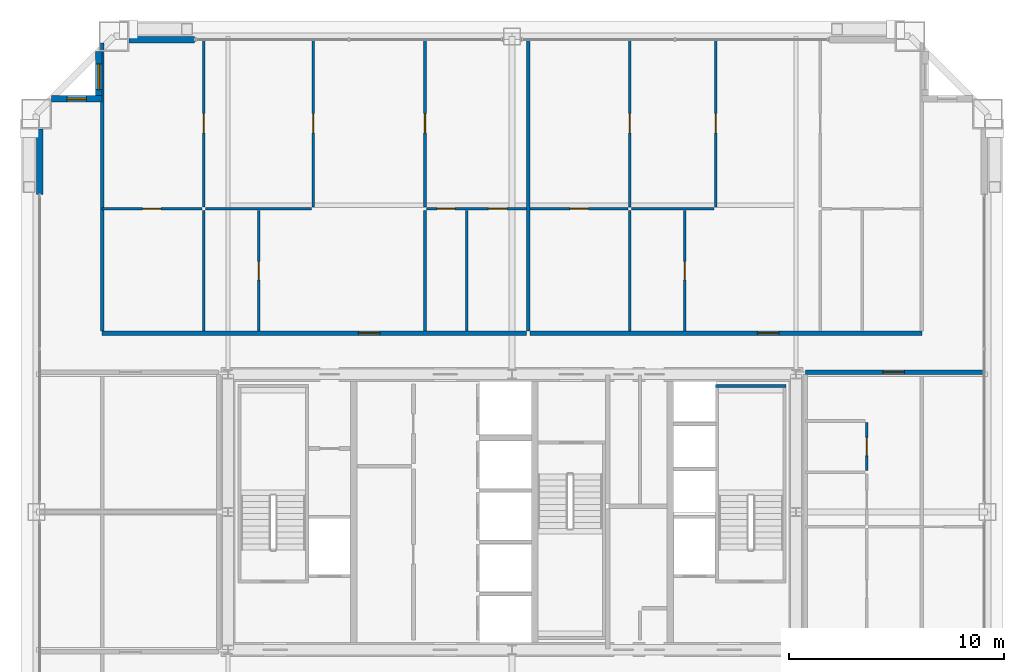
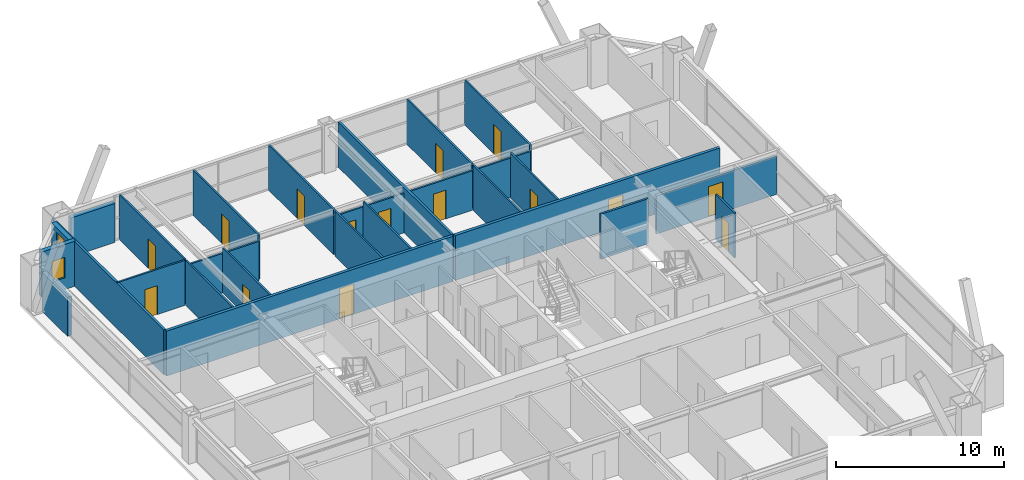
# One storey, part 43 of 45: 27 walls, 15 doors, 2 windows, 17 openings.
"""IFC4 building model written with IfcOpenShell, lengths in metres."""

from ifc_helpers import new_model, si_unit, direction, frame, frame_2d, origin, place, context, subcontext, project, spatial, rectangle, extrude, source, transform, mapped, material, layer, layer_set, type_object, element, fill, save


model = new_model("IFC4")

# Units and contexts
model_context = context("Model", 3, precision=1e-05, world=origin(), true_north=direction((0.0, 1.0)))
body_context = subcontext(model_context, "Body", "Model", "MODEL_VIEW")
ifc_project = project(units=[si_unit("LENGTHUNIT", "METRE"), si_unit("AREAUNIT", "SQUARE_METRE"), si_unit("VOLUMEUNIT", "CUBIC_METRE"), si_unit("PLANEANGLEUNIT", "RADIAN"), si_unit("MASSUNIT", "GRAM", prefix="KILO"), si_unit("THERMODYNAMICTEMPERATUREUNIT", "KELVIN"), si_unit("POWERUNIT", "WATT")], contexts=[model_context])

# Site, building, storey
site_placement = place(None, origin())
site = spatial("IfcSite", under=ifc_project, at=site_placement, CompositionType="ELEMENT")
building_placement = place(site_placement, origin())
building = spatial("IfcBuilding", under=site, at=building_placement, Name="Yuzanri Waterfront Tower", CompositionType="ELEMENT")
storey_placement = place(building_placement, frame((0.0, 0.0, 198.5)))
storey = spatial("IfcBuildingStorey", under=building, at=storey_placement, Name="L52", CompositionType="ELEMENT", Elevation=198.5)

# Wall, opening, door
ifc_material_1 = material(Name="Moisture-Resistant Gypsum Stud Wall", Category="gypsum")
ifc_layer_1 = layer(ifc_material_1, 0.1201171875)
ifc_layer_set_1 = layer_set([ifc_layer_1], Name="Moisture-Resistant Gypsum Stud Wall")
wall_type_1 = type_object("IfcWallType", Name="Bathroom and Kitchen Wet Partition 120", PredefinedType="PARTITIONING", material=ifc_layer_set_1)
wall_1_placement = place(storey_placement, frame((17.93994140625, 39.89990234375, 0.0), z_axis=(0.0, 0.0, 1.0), x_axis=(1.0, 0.0, 0.0)))
wall_1 = element("IfcWall", 1, at=wall_1_placement, inside=storey, type_object=wall_type_1, Name="L52 Partition UW-L52-RN1-SUB-1-N", PredefinedType="PARTITIONING", context=body_context, shape_type="SweptSolid", body=[
    extrude(rectangle(XDim=4.64697265625, YDim=0.1201171875, at=frame_2d((2.323486328125, 0.0))), origin(), (0.0, 0.0, 1.0), 3.280029296875),
])
opening_1_placement = place(wall_1_placement, frame((1.8984375, 0.0, 0.0)))
opening_1 = element("IfcOpeningElement", 2, at=opening_1_placement, cuts=wall_1, Name="Opening ID-0850", PredefinedType="OPENING", context=body_context, shape_type="SweptSolid", body=[
    extrude(rectangle(XDim=0.85009765625, YDim=2.10009765625, at=frame_2d((0.425048828125, 1.050048828125))), frame((0.0, 0.074951171875, 0.0), z_axis=(0.0, -1.0, 0.0), x_axis=(1.0, 0.0, 0.0)), (0.0, 0.0, 1.0), 0.14990234375),
])
ifc_material_2 = material(Name="Moisture-Resistant Lacquered Timber", Category="wood")
door_type_1 = type_object("IfcDoorType", Name="En-Suite Bathroom and Kitchen Swing Door 850x2100", OperationType="NOTDEFINED", PredefinedType="DOOR", material=ifc_material_2)
shared_shape_1 = source(origin(), body_context, "Body", "SweptSolid", [
    extrude(rectangle(XDim=0.85009765625, YDim=2.10009765625, at=frame_2d((0.425048828125, 1.050048828125))), frame((0.0, 0.02490234375, 0.0), z_axis=(0.0, -1.0, 0.0), x_axis=(1.0, 0.0, 0.0)), (0.0, 0.0, 1.0), 0.050048828125),
])
door_1_placement = place(opening_1_placement, origin())
door_1 = element("IfcDoor", 3, at=door_1_placement, inside=storey, type_object=door_type_1, Name="L52 Suite Interior Room Door", OperationType="SINGLE_SWING_LEFT", OverallHeight=2.10009765625, OverallWidth=0.85009765625, PredefinedType="DOOR", context=body_context, shape_type="MappedRepresentation", body=[
    mapped(shared_shape_1, transform((0.0, 0.0, 0.0), scale=1.0)),
])
fill(opening_1, door_1)

wall_2_placement = place(storey_placement, frame((25.22705078125, 34.2099609375, 0.0), z_axis=(0.0, 0.0, 1.0), x_axis=(0.0, 1.0, 0.0)))
wall_2 = element("IfcWall", 4, at=wall_2_placement, inside=storey, type_object=wall_type_1, Name="L52 Partition UW-L52-RN1-SUB-2-E", PredefinedType="PARTITIONING", context=body_context, shape_type="SweptSolid", body=[
    extrude(rectangle(XDim=5.610107421875, YDim=0.1201171875, at=frame_2d((2.80517578125, 0.0))), origin(), (0.0, 0.0, 1.0), 3.280029296875),
])
opening_2_placement = place(wall_2_placement, frame((2.3798828125, 0.0, 0.0)))
opening_2 = element("IfcOpeningElement", 5, at=opening_2_placement, cuts=wall_2, Name="Opening ID-0850", PredefinedType="OPENING", context=body_context, shape_type="SweptSolid", body=[
    extrude(rectangle(XDim=0.85009765625, YDim=2.10009765625, at=frame_2d((0.425048828125, 1.050048828125))), frame((0.0, 0.074951171875, 0.0), z_axis=(0.0, -1.0, 0.0), x_axis=(1.0, 0.0, 0.0)), (0.0, 0.0, 1.0), 0.14990234375),
])
door_2_placement = place(opening_2_placement, origin())
door_2 = element("IfcDoor", 6, at=door_2_placement, inside=storey, type_object=door_type_1, Name="L52 Suite Interior Room Door", OperationType="SINGLE_SWING_RIGHT", OverallHeight=2.10009765625, OverallWidth=0.85009765625, PredefinedType="DOOR", context=body_context, shape_type="MappedRepresentation", body=[
    mapped(shared_shape_1, transform((0.0, 0.0, 0.0), scale=1.0)),
])
fill(opening_2, door_2)

wall_3_placement = place(storey_placement, frame((22.6669921875, 39.97998046875, 0.0), z_axis=(0.0, 0.0, 1.0), x_axis=(0.0, 1.0, 0.0)))
wall_3 = element("IfcWall", 7, at=wall_3_placement, inside=storey, type_object=wall_type_1, Name="L52 Partition UW-L52-RN1-SUB-5-E", PredefinedType="PARTITIONING", context=body_context, shape_type="SweptSolid", body=[
    extrude(rectangle(XDim=7.77001953125, YDim=0.1201171875, at=frame_2d((3.885009765625, 0.0))), origin(), (0.0, 0.0, 1.0), 3.280029296875),
])
opening_3_placement = place(wall_3_placement, frame((3.43505859375, 0.0, 0.0)))
opening_3 = element("IfcOpeningElement", 8, at=opening_3_placement, cuts=wall_3, Name="Opening ID-0900", PredefinedType="OPENING", context=body_context, shape_type="SweptSolid", body=[
    extrude(rectangle(XDim=0.89990234375, YDim=2.14990234375, at=frame_2d((0.449951171875, 1.074951171875))), frame((0.0, 0.074951171875, 0.0), z_axis=(0.0, -1.0, 0.0), x_axis=(1.0, 0.0, 0.0)), (0.0, 0.0, 1.0), 0.14990234375),
])
ifc_material_3 = material(Name="Stained Walnut Veneer Timber", Category="wood")
door_type_2 = type_object("IfcDoorType", Name="Bedroom and Study Interior Swing Door 900x2150", OperationType="NOTDEFINED", PredefinedType="DOOR", material=ifc_material_3)
shared_shape_2 = source(origin(), body_context, "Body", "SweptSolid", [
    extrude(rectangle(XDim=0.89990234375, YDim=2.14990234375, at=frame_2d((0.449951171875, 1.074951171875))), frame((0.0, 0.02490234375, 0.0), z_axis=(0.0, -1.0, 0.0), x_axis=(1.0, 0.0, 0.0)), (0.0, 0.0, 1.0), 0.050048828125),
])
door_3_placement = place(opening_3_placement, origin())
door_3 = element("IfcDoor", 9, at=door_3_placement, inside=storey, type_object=door_type_2, Name="L52 Suite Interior Room Door", OperationType="SINGLE_SWING_LEFT", OverallHeight=2.14990234375, OverallWidth=0.89990234375, PredefinedType="DOOR", context=body_context, shape_type="MappedRepresentation", body=[
    mapped(shared_shape_2, transform((0.0, 0.0, 0.0), scale=1.0)),
])
fill(opening_3, door_3)

# Wall, openings, doors
wall_4_placement = place(storey_placement, frame((33.034912109375, 39.89990234375, 0.0), z_axis=(0.0, 0.0, 1.0), x_axis=(1.0, 0.0, 0.0)))
wall_4 = element("IfcWall", 10, at=wall_4_placement, inside=storey, type_object=wall_type_1, Name="L52 Partition UW-L52-RN1-SUB-6-S", PredefinedType="PARTITIONING", context=body_context, shape_type="SweptSolid", body=[
    extrude(rectangle(XDim=4.64697265625, YDim=0.1201171875, at=frame_2d((2.323486328125, 0.0))), origin(), (0.0, 0.0, 1.0), 2.875),
])
opening_4_placement = place(wall_4_placement, frame((2.8720703125, 0.0, 0.0)))
opening_4 = element("IfcOpeningElement", 11, at=opening_4_placement, cuts=wall_4, Name="Opening ID-0850", PredefinedType="OPENING", context=body_context, shape_type="SweptSolid", body=[
    extrude(rectangle(XDim=0.85009765625, YDim=2.10009765625, at=frame_2d((0.425048828125, 1.050048828125))), frame((0.0, 0.074951171875, 0.0), z_axis=(0.0, -1.0, 0.0), x_axis=(1.0, 0.0, 0.0)), (0.0, 0.0, 1.0), 0.14990234375),
])
opening_5_placement = place(wall_4_placement, frame((0.468505859375, 0.0, 0.0)))
opening_5 = element("IfcOpeningElement", 12, at=opening_5_placement, cuts=wall_4, Name="Opening ID-0850", PredefinedType="OPENING", context=body_context, shape_type="SweptSolid", body=[
    extrude(rectangle(XDim=0.85009765625, YDim=2.10009765625, at=frame_2d((0.425048828125, 1.050048828125))), frame((0.0, 0.074951171875, 0.0), z_axis=(0.0, -1.0, 0.0), x_axis=(1.0, 0.0, 0.0)), (0.0, 0.0, 1.0), 0.14990234375),
])
door_4_placement = place(opening_4_placement, origin())
door_4 = element("IfcDoor", 13, at=door_4_placement, inside=storey, type_object=door_type_1, Name="L52 Suite Interior Room Door", OperationType="SINGLE_SWING_LEFT", OverallHeight=2.10009765625, OverallWidth=0.85009765625, PredefinedType="DOOR", context=body_context, shape_type="MappedRepresentation", body=[
    mapped(shared_shape_1, transform((0.0, 0.0, 0.0), scale=1.0)),
])
fill(opening_4, door_4)
door_5_placement = place(opening_5_placement, origin())
door_5 = element("IfcDoor", 14, at=door_5_placement, inside=storey, type_object=door_type_1, Name="L52 Suite Interior Room Door", OperationType="SINGLE_SWING_RIGHT", OverallHeight=2.10009765625, OverallWidth=0.85009765625, PredefinedType="DOOR", context=body_context, shape_type="MappedRepresentation", body=[
    mapped(shared_shape_1, transform((0.0, 0.0, 0.0), scale=1.0)),
])
fill(opening_5, door_5)

# Wall, opening, door
wall_5_placement = place(storey_placement, frame((32.955078125, 39.97998046875, 0.0), z_axis=(0.0, 0.0, 1.0), x_axis=(0.0, 1.0, 0.0)))
wall_5 = element("IfcWall", 15, at=wall_5_placement, inside=storey, type_object=wall_type_1, Name="L52 Partition UW-L52-RN1-SUB-6-W", PredefinedType="PARTITIONING", context=body_context, shape_type="SweptSolid", body=[
    extrude(rectangle(XDim=7.77001953125, YDim=0.1201171875, at=frame_2d((3.885009765625, 0.0))), origin(), (0.0, 0.0, 1.0), 3.280029296875),
])
opening_6_placement = place(wall_5_placement, frame((3.43505859375, 0.0, 0.0)))
opening_6 = element("IfcOpeningElement", 16, at=opening_6_placement, cuts=wall_5, Name="Opening ID-0900", PredefinedType="OPENING", context=body_context, shape_type="SweptSolid", body=[
    extrude(rectangle(XDim=0.89990234375, YDim=2.14990234375, at=frame_2d((0.449951171875, 1.074951171875))), frame((0.0, 0.074951171875, 0.0), z_axis=(0.0, -1.0, 0.0), x_axis=(1.0, 0.0, 0.0)), (0.0, 0.0, 1.0), 0.14990234375),
])
door_6_placement = place(opening_6_placement, origin())
door_6 = element("IfcDoor", 17, at=door_6_placement, inside=storey, type_object=door_type_2, Name="L52 Suite Interior Room Door", OperationType="SINGLE_SWING_RIGHT", OverallHeight=2.14990234375, OverallWidth=0.89990234375, PredefinedType="DOOR", context=body_context, shape_type="MappedRepresentation", body=[
    mapped(shared_shape_2, transform((0.0, 0.0, 0.0), scale=1.0)),
])
fill(opening_6, door_6)

wall_6_placement = place(storey_placement, frame((27.7548828125, 39.97998046875, 0.0), z_axis=(0.0, 0.0, 1.0), x_axis=(0.0, 1.0, 0.0)))
wall_6 = element("IfcWall", 18, at=wall_6_placement, inside=storey, type_object=wall_type_1, Name="L52 Partition UW-L52-RN1-SUB-7-E", PredefinedType="PARTITIONING", context=body_context, shape_type="SweptSolid", body=[
    extrude(rectangle(XDim=7.77001953125, YDim=0.1201171875, at=frame_2d((3.885009765625, 0.0))), origin(), (0.0, 0.0, 1.0), 3.280029296875),
])
opening_7_placement = place(wall_6_placement, frame((3.43505859375, 0.0, 0.0)))
opening_7 = element("IfcOpeningElement", 19, at=opening_7_placement, cuts=wall_6, Name="Opening ID-0900", PredefinedType="OPENING", context=body_context, shape_type="SweptSolid", body=[
    extrude(rectangle(XDim=0.89990234375, YDim=2.14990234375, at=frame_2d((0.449951171875, 1.074951171875))), frame((0.0, 0.074951171875, 0.0), z_axis=(0.0, -1.0, 0.0), x_axis=(1.0, 0.0, 0.0)), (0.0, 0.0, 1.0), 0.14990234375),
])
door_7_placement = place(opening_7_placement, origin())
door_7 = element("IfcDoor", 20, at=door_7_placement, inside=storey, type_object=door_type_2, Name="L52 Suite Interior Room Door", OperationType="SINGLE_SWING_LEFT", OverallHeight=2.14990234375, OverallWidth=0.89990234375, PredefinedType="DOOR", context=body_context, shape_type="MappedRepresentation", body=[
    mapped(shared_shape_2, transform((0.0, 0.0, 0.0), scale=1.0)),
])
fill(opening_7, door_7)

wall_7_placement = place(storey_placement, frame((37.842041015625, 39.89990234375, 0.0), z_axis=(0.0, 0.0, 1.0), x_axis=(1.0, 0.0, 0.0)))
wall_7 = element("IfcWall", 21, at=wall_7_placement, inside=storey, type_object=wall_type_1, Name="L52 Partition UW-L52-RN2-SUB-1-N", PredefinedType="PARTITIONING", context=body_context, shape_type="SweptSolid", body=[
    extrude(rectangle(XDim=4.553955078125, YDim=0.1201171875, at=frame_2d((2.27685546875, 0.0))), origin(), (0.0, 0.0, 1.0), 2.875),
])
opening_8_placement = place(wall_7_placement, frame((1.85205078125, 0.0, 0.0)))
opening_8 = element("IfcOpeningElement", 22, at=opening_8_placement, cuts=wall_7, Name="Opening ID-0850", PredefinedType="OPENING", context=body_context, shape_type="SweptSolid", body=[
    extrude(rectangle(XDim=0.85009765625, YDim=2.10009765625, at=frame_2d((0.425048828125, 1.050048828125))), frame((0.0, 0.074951171875, 0.0), z_axis=(0.0, -1.0, 0.0), x_axis=(1.0, 0.0, 0.0)), (0.0, 0.0, 1.0), 0.14990234375),
])
door_8_placement = place(opening_8_placement, origin())
door_8 = element("IfcDoor", 23, at=door_8_placement, inside=storey, type_object=door_type_1, Name="L52 Suite Interior Room Door", OperationType="SINGLE_SWING_LEFT", OverallHeight=2.10009765625, OverallWidth=0.85009765625, PredefinedType="DOOR", context=body_context, shape_type="MappedRepresentation", body=[
    mapped(shared_shape_1, transform((0.0, 0.0, 0.0), scale=1.0)),
])
fill(opening_8, door_8)

wall_8_placement = place(storey_placement, frame((45.035888671875, 34.2099609375, 0.0), z_axis=(0.0, 0.0, 1.0), x_axis=(0.0, 1.0, 0.0)))
wall_8 = element("IfcWall", 24, at=wall_8_placement, inside=storey, type_object=wall_type_1, Name="L52 Partition UW-L52-RN2-SUB-2-E", PredefinedType="PARTITIONING", context=body_context, shape_type="SweptSolid", body=[
    extrude(rectangle(XDim=5.610107421875, YDim=0.1201171875, at=frame_2d((2.80517578125, 0.0))), origin(), (0.0, 0.0, 1.0), 3.280029296875),
])
opening_9_placement = place(wall_8_placement, frame((2.3798828125, 0.0, 0.0)))
opening_9 = element("IfcOpeningElement", 25, at=opening_9_placement, cuts=wall_8, Name="Opening ID-0850", PredefinedType="OPENING", context=body_context, shape_type="SweptSolid", body=[
    extrude(rectangle(XDim=0.85009765625, YDim=2.10009765625, at=frame_2d((0.425048828125, 1.050048828125))), frame((0.0, 0.074951171875, 0.0), z_axis=(0.0, -1.0, 0.0), x_axis=(1.0, 0.0, 0.0)), (0.0, 0.0, 1.0), 0.14990234375),
])
door_9_placement = place(opening_9_placement, origin())
door_9 = element("IfcDoor", 26, at=door_9_placement, inside=storey, type_object=door_type_1, Name="L52 Suite Interior Room Door", OperationType="SINGLE_SWING_RIGHT", OverallHeight=2.10009765625, OverallWidth=0.85009765625, PredefinedType="DOOR", context=body_context, shape_type="MappedRepresentation", body=[
    mapped(shared_shape_1, transform((0.0, 0.0, 0.0), scale=1.0)),
])
fill(opening_9, door_9)

wall_9_placement = place(storey_placement, frame((42.47607421875, 39.97998046875, 0.0), z_axis=(0.0, 0.0, 1.0), x_axis=(0.0, 1.0, 0.0)))
wall_9 = element("IfcWall", 27, at=wall_9_placement, inside=storey, type_object=wall_type_1, Name="L52 Partition UW-L52-RN2-SUB-5-E", PredefinedType="PARTITIONING", context=body_context, shape_type="SweptSolid", body=[
    extrude(rectangle(XDim=7.77001953125, YDim=0.1201171875, at=frame_2d((3.885009765625, 0.0))), origin(), (0.0, 0.0, 1.0), 3.280029296875),
])
opening_10_placement = place(wall_9_placement, frame((3.43505859375, 0.0, 0.0)))
opening_10 = element("IfcOpeningElement", 28, at=opening_10_placement, cuts=wall_9, Name="Opening ID-0900", PredefinedType="OPENING", context=body_context, shape_type="SweptSolid", body=[
    extrude(rectangle(XDim=0.89990234375, YDim=2.14990234375, at=frame_2d((0.449951171875, 1.074951171875))), frame((0.0, 0.074951171875, 0.0), z_axis=(0.0, -1.0, 0.0), x_axis=(1.0, 0.0, 0.0)), (0.0, 0.0, 1.0), 0.14990234375),
])
door_10_placement = place(opening_10_placement, origin())
door_10 = element("IfcDoor", 29, at=door_10_placement, inside=storey, type_object=door_type_2, Name="L52 Suite Interior Room Door", OperationType="SINGLE_SWING_LEFT", OverallHeight=2.14990234375, OverallWidth=0.89990234375, PredefinedType="DOOR", context=body_context, shape_type="MappedRepresentation", body=[
    mapped(shared_shape_2, transform((0.0, 0.0, 0.0), scale=1.0)),
])
fill(opening_10, door_10)

wall_10_placement = place(storey_placement, frame((46.462890625, 39.97998046875, 0.0), z_axis=(0.0, 0.0, 1.0), x_axis=(0.0, 1.0, 0.0)))
wall_10 = element("IfcWall", 30, at=wall_10_placement, inside=storey, type_object=wall_type_1, Name="L52 Partition UW-L52-RN2-SUB-7-E", PredefinedType="PARTITIONING", context=body_context, shape_type="SweptSolid", body=[
    extrude(rectangle(XDim=7.77001953125, YDim=0.1201171875, at=frame_2d((3.885009765625, 0.0))), origin(), (0.0, 0.0, 1.0), 3.280029296875),
])
opening_11_placement = place(wall_10_placement, frame((3.43505859375, 0.0, 0.0)))
opening_11 = element("IfcOpeningElement", 31, at=opening_11_placement, cuts=wall_10, Name="Opening ID-0900", PredefinedType="OPENING", context=body_context, shape_type="SweptSolid", body=[
    extrude(rectangle(XDim=0.89990234375, YDim=2.14990234375, at=frame_2d((0.449951171875, 1.074951171875))), frame((0.0, 0.074951171875, 0.0), z_axis=(0.0, -1.0, 0.0), x_axis=(1.0, 0.0, 0.0)), (0.0, 0.0, 1.0), 0.14990234375),
])
door_11_placement = place(opening_11_placement, origin())
door_11 = element("IfcDoor", 32, at=door_11_placement, inside=storey, type_object=door_type_2, Name="L52 Suite Interior Room Door", OperationType="SINGLE_SWING_LEFT", OverallHeight=2.14990234375, OverallWidth=0.89990234375, PredefinedType="DOOR", context=body_context, shape_type="MappedRepresentation", body=[
    mapped(shared_shape_2, transform((0.0, 0.0, 0.0), scale=1.0)),
])
fill(opening_11, door_11)

wall_11_placement = place(storey_placement, frame((53.47998046875, 27.73193359375, 0.0), z_axis=(0.0, 0.0, 1.0), x_axis=(0.0, 1.0, 0.0)))
wall_11 = element("IfcWall", 33, at=wall_11_placement, inside=storey, type_object=wall_type_1, Name="L52 Partition UW-L52-RE1-SUB-2-E", PredefinedType="PARTITIONING", context=body_context, shape_type="SweptSolid", body=[
    extrude(rectangle(XDim=2.218994140625, YDim=0.1201171875, at=frame_2d((1.109375, 0.0))), origin(), (0.0, 0.0, 1.0), 3.280029296875),
])
opening_12_placement = place(wall_11_placement, frame((0.6845703125, 0.0, 0.0)))
opening_12 = element("IfcOpeningElement", 34, at=opening_12_placement, cuts=wall_11, Name="Opening ID-0850", PredefinedType="OPENING", context=body_context, shape_type="SweptSolid", body=[
    extrude(rectangle(XDim=0.85009765625, YDim=2.10009765625, at=frame_2d((0.425048828125, 1.050048828125))), frame((0.0, 0.074951171875, 0.0), z_axis=(0.0, -1.0, 0.0), x_axis=(1.0, 0.0, 0.0)), (0.0, 0.0, 1.0), 0.14990234375),
])
door_12_placement = place(opening_12_placement, origin())
door_12 = element("IfcDoor", 35, at=door_12_placement, inside=storey, type_object=door_type_1, Name="L52 Suite Interior Room Door", OperationType="SINGLE_SWING_RIGHT", OverallHeight=2.10009765625, OverallWidth=0.85009765625, PredefinedType="DOOR", context=body_context, shape_type="MappedRepresentation", body=[
    mapped(shared_shape_1, transform((0.0, 0.0, 0.0), scale=1.0)),
])
fill(opening_12, door_12)

# Wall, opening, window
ifc_material_4 = material(Name="Honed Chongqing Dark Basalt Stone", Category="masonry")
ifc_layer_2 = layer(ifc_material_4, 0.300048828125)
ifc_layer_set_2 = layer_set([ifc_layer_2], Name="Honed Chongqing Dark Basalt Stone")
wall_type_2 = type_object("IfcWallType", Name="Bronze Rainscreen Insulated Spandrel Portal Wall 300", PredefinedType="SOLIDWALL", material=ifc_layer_set_2)
wall_12_placement = place(storey_placement, frame((17.949951171875, 45.0, 0.0), z_axis=(0.0, 0.0, 1.0), x_axis=(-1.0, 0.0, 0.0)))
wall_12 = element("IfcWall", 36, at=wall_12_placement, inside=storey, type_object=wall_type_2, Name="L52 Notched Corner Masonry Wall NW-X", PredefinedType="SOLIDWALL", context=body_context, shape_type="SweptSolid", body=[
    extrude(rectangle(XDim=2.349853515625, YDim=0.300048828125, at=frame_2d((1.1748046875, 0.0))), origin(), (0.0, 0.0, 1.0), 3.280029296875),
])
opening_13_placement = place(wall_12_placement, frame((0.72509765625, 0.0, 0.85009765625)))
opening_13 = element("IfcOpeningElement", 37, at=opening_13_placement, cuts=wall_12, Name="Opening WN-05", PredefinedType="OPENING", context=body_context, shape_type="SweptSolid", body=[
    extrude(rectangle(XDim=0.89990234375, YDim=1.5, at=frame_2d((0.449951171875, 0.75))), frame((0.0, 0.1650390625, 0.0), z_axis=(0.0, -1.0, 0.0), x_axis=(1.0, 0.0, 0.0)), (0.0, 0.0, 1.0), 0.329833984375),
])
ifc_material_5 = material(Name="Double-Silver Low-E Insulated Glass", Category="glass")
window_type_1 = type_object("IfcWindowType", Name="Anodized Bronze Service and Stairwell Smoke-Vent Window 900x1500", PartitioningType="SINGLE_PANEL", PredefinedType="WINDOW", material=ifc_material_5)
shared_shape_3 = source(origin(), body_context, "Body", "SweptSolid", [
    extrude(rectangle(XDim=0.89990234375, YDim=1.5, at=frame_2d((0.449951171875, 0.75))), frame((0.0, 0.030029296875, 0.0), z_axis=(0.0, -1.0, 0.0), x_axis=(1.0, 0.0, 0.0)), (0.0, 0.0, 1.0), 0.06005859375),
])
window_1_placement = place(opening_13_placement, origin())
window_1 = element("IfcWindow", 38, at=window_1_placement, inside=storey, type_object=window_type_1, Name="L52 Notched Corner Window NW-X", OverallHeight=1.5, OverallWidth=0.89990234375, PartitioningType="SINGLE_PANEL", PredefinedType="WINDOW", context=body_context, shape_type="MappedRepresentation", body=[
    mapped(shared_shape_3, transform((0.0, 0.0, 0.0), scale=1.0)),
])
fill(opening_13, window_1)

wall_13_placement = place(storey_placement, frame((17.800048828125, 47.199951171875, 0.0), z_axis=(0.0, 0.0, 1.0), x_axis=(0.0, -1.0, 0.0)))
wall_13 = element("IfcWall", 39, at=wall_13_placement, inside=storey, type_object=wall_type_2, Name="L52 Notched Corner Masonry Wall NW-Y", PredefinedType="SOLIDWALL", context=body_context, shape_type="SweptSolid", body=[
    extrude(rectangle(XDim=2.349853515625, YDim=0.300048828125, at=frame_2d((1.1748046875, 0.0))), origin(), (0.0, 0.0, 1.0), 3.280029296875),
])
opening_14_placement = place(wall_13_placement, frame((0.574951171875, 0.0, 0.85009765625)))
opening_14 = element("IfcOpeningElement", 40, at=opening_14_placement, cuts=wall_13, Name="Opening WN-02", PredefinedType="OPENING", context=body_context, shape_type="SweptSolid", body=[
    extrude(rectangle(XDim=1.199951171875, YDim=2.10009765625, at=frame_2d((0.60009765625, 1.050048828125))), frame((0.0, 0.1650390625, 0.0), z_axis=(0.0, -1.0, 0.0), x_axis=(1.0, 0.0, 0.0)), (0.0, 0.0, 1.0), 0.329833984375),
])
ifc_material_6 = material(Name="Double-Silver Low-E Insulated Glass", Category="glass")
window_type_2 = type_object("IfcWindowType", Name="Anodized Bronze Notched Corner Deep-Set Slot Window 1200x2100", PartitioningType="SINGLE_PANEL", PredefinedType="WINDOW", material=ifc_material_6)
shared_shape_4 = source(origin(), body_context, "Body", "SweptSolid", [
    extrude(rectangle(XDim=1.199951171875, YDim=2.10009765625, at=frame_2d((0.60009765625, 1.050048828125))), frame((0.0, 0.030029296875, 0.0), z_axis=(0.0, -1.0, 0.0), x_axis=(1.0, 0.0, 0.0)), (0.0, 0.0, 1.0), 0.06005859375),
])
window_2_placement = place(opening_14_placement, origin())
window_2 = element("IfcWindow", 41, at=window_2_placement, inside=storey, type_object=window_type_2, Name="L52 Notched Corner Window NW-Y", OverallHeight=2.10009765625, OverallWidth=1.199951171875, PartitioningType="SINGLE_PANEL", PredefinedType="WINDOW", context=body_context, shape_type="MappedRepresentation", body=[
    mapped(shared_shape_4, transform((0.0, 0.0, 0.0), scale=1.0)),
])
fill(opening_14, window_2)

# Wall, opening, door
ifc_material_7 = material(Name="Autoclaved Aerated Concrete Blockwork", Category="masonry")
ifc_layer_3 = layer(ifc_material_7, 0.199951171875)
ifc_layer_set_3 = layer_set([ifc_layer_3], Name="Autoclaved Aerated Concrete Blockwork")
wall_type_3 = type_object("IfcWallType", Name="Corridor and Unit Party Fire Wall 200", PredefinedType="PARTITIONING", material=ifc_layer_set_3)
wall_14_placement = place(storey_placement, frame((17.93994140625, 34.110107421875, 0.0), z_axis=(0.0, 0.0, 1.0), x_axis=(1.0, 0.0, 0.0)))
wall_14 = element("IfcWall", 42, at=wall_14_placement, inside=storey, type_object=wall_type_3, Name="L52 Partition UW-L52-RN1-CS", PredefinedType="PARTITIONING", context=body_context, shape_type="SweptSolid", body=[
    extrude(rectangle(XDim=19.741943359375, YDim=0.199951171875, at=frame_2d((9.87109375, 0.0))), origin(), (0.0, 0.0, 1.0), 3.280029296875),
])
opening_15_placement = place(wall_14_placement, frame((11.9150390625, 0.0, 0.0)))
opening_15 = element("IfcOpeningElement", 43, at=opening_15_placement, cuts=wall_14, Name="Opening FD-1000", PredefinedType="OPENING", context=body_context, shape_type="SweptSolid", body=[
    extrude(rectangle(XDim=1.0, YDim=2.199951171875, at=frame_2d((0.5, 1.10009765625))), frame((0.0, 0.11474609375, 0.0), z_axis=(0.0, -1.0, 0.0), x_axis=(1.0, 0.0, 0.0)), (0.0, 0.0, 1.0), 0.229736328125),
])
ifc_material_8 = material(Name="Engineered Oak Fire-Rated Timber", Category="wood")
door_type_3 = type_object("IfcDoorType", Name="Guestroom and Apartment Entrance Fire Door 1000x2200", OperationType="NOTDEFINED", PredefinedType="DOOR", material=ifc_material_8)
shared_shape_5 = source(origin(), body_context, "Body", "SweptSolid", [
    extrude(rectangle(XDim=1.0, YDim=2.199951171875, at=frame_2d((0.5, 1.10009765625))), frame((0.0, 0.02490234375, 0.0), z_axis=(0.0, -1.0, 0.0), x_axis=(1.0, 0.0, 0.0)), (0.0, 0.0, 1.0), 0.050048828125),
])
door_13_placement = place(opening_15_placement, origin())
door_13 = element("IfcDoor", 44, at=door_13_placement, inside=storey, type_object=door_type_3, Name="L52 Apartment Living and Dining Salon Entrance Door", OperationType="SINGLE_SWING_RIGHT", OverallHeight=2.199951171875, OverallWidth=1.0, PredefinedType="DOOR", context=body_context, shape_type="MappedRepresentation", body=[
    mapped(shared_shape_5, transform((0.0, 0.0, 0.0), scale=1.0)),
])
fill(opening_15, door_13)

wall_15_placement = place(storey_placement, frame((37.842041015625, 34.110107421875, 0.0), z_axis=(0.0, 0.0, 1.0), x_axis=(1.0, 0.0, 0.0)))
wall_15 = element("IfcWall", 45, at=wall_15_placement, inside=storey, type_object=wall_type_3, Name="L52 Partition UW-L52-RN2-CS", PredefinedType="PARTITIONING", context=body_context, shape_type="SweptSolid", body=[
    extrude(rectangle(XDim=18.218017578125, YDim=0.199951171875, at=frame_2d((9.10888671875, 0.0))), origin(), (0.0, 0.0, 1.0), 3.280029296875),
])
opening_16_placement = place(wall_15_placement, frame((10.555908203125, 0.0, 0.0)))
opening_16 = element("IfcOpeningElement", 46, at=opening_16_placement, cuts=wall_15, Name="Opening FD-1000", PredefinedType="OPENING", context=body_context, shape_type="SweptSolid", body=[
    extrude(rectangle(XDim=1.0, YDim=2.199951171875, at=frame_2d((0.5, 1.10009765625))), frame((0.0, 0.11474609375, 0.0), z_axis=(0.0, -1.0, 0.0), x_axis=(1.0, 0.0, 0.0)), (0.0, 0.0, 1.0), 0.229736328125),
])
door_14_placement = place(opening_16_placement, origin())
door_14 = element("IfcDoor", 47, at=door_14_placement, inside=storey, type_object=door_type_3, Name="L52 Apartment Living and Dining Salon Entrance Door", OperationType="SINGLE_SWING_RIGHT", OverallHeight=2.199951171875, OverallWidth=1.0, PredefinedType="DOOR", context=body_context, shape_type="MappedRepresentation", body=[
    mapped(shared_shape_5, transform((0.0, 0.0, 0.0), scale=1.0)),
])
fill(opening_16, door_14)

wall_16_placement = place(storey_placement, frame((50.64990234375, 32.2900390625, 0.0), z_axis=(0.0, 0.0, 1.0), x_axis=(1.0, 0.0, 0.0)))
wall_16 = element("IfcWall", 48, at=wall_16_placement, inside=storey, type_object=wall_type_3, Name="L52 Partition UW-L52-RE1-CN", PredefinedType="PARTITIONING", context=body_context, shape_type="SweptSolid", body=[
    extrude(rectangle(XDim=8.300048828125, YDim=0.199951171875, at=frame_2d((4.14990234375, 0.0))), origin(), (0.0, 0.0, 1.0), 2.77490234375),
])
opening_17_placement = place(wall_16_placement, frame((3.5849609375, 0.0, 0.0)))
opening_17 = element("IfcOpeningElement", 49, at=opening_17_placement, cuts=wall_16, Name="Opening FD-1000", PredefinedType="OPENING", context=body_context, shape_type="SweptSolid", body=[
    extrude(rectangle(XDim=1.0, YDim=2.199951171875, at=frame_2d((0.5, 1.10009765625))), frame((0.0, 0.11474609375, 0.0), z_axis=(0.0, -1.0, 0.0), x_axis=(1.0, 0.0, 0.0)), (0.0, 0.0, 1.0), 0.229736328125),
])
door_15_placement = place(opening_17_placement, origin())
door_15 = element("IfcDoor", 50, at=door_15_placement, inside=storey, type_object=door_type_3, Name="L52 Wing Residence Living and Dining Room Entrance Door", OperationType="SINGLE_SWING_RIGHT", OverallHeight=2.199951171875, OverallWidth=1.0, PredefinedType="DOOR", context=body_context, shape_type="MappedRepresentation", body=[
    mapped(shared_shape_5, transform((0.0, 0.0, 0.0), scale=1.0)),
])
fill(opening_17, door_15)

# Walls
shared_shape_6 = source(origin(), body_context, "Body", "SweptSolid", [
    extrude(rectangle(XDim=3.050048828125, YDim=0.300048828125, at=frame_2d((1.52490234375, 0.0))), origin(), (0.0, 0.0, 1.0), 2.8349609375),
])
for number, where, z_axis, x_axis, name in (
    (51, (19.199951171875, 47.75, 0.0), (0.0, 0.0, 1.0), (1.0, 0.0, 0.0), "L52 N Left Braced Masonry Shoulder"),
    (52, (15.050048828125, 40.550048828125, 0.0), (0.0, 0.0, 1.0), (0.0, 1.0, 0.0), "L52 W Right Braced Masonry Shoulder"),
):
    element("IfcWall", number, at=place(storey_placement, frame(where, z_axis=z_axis, x_axis=x_axis)), inside=storey, type_object=wall_type_2, Name=name, PredefinedType="SOLIDWALL", context=body_context, shape_type="MappedRepresentation", body=[
        mapped(shared_shape_6, transform((0.0, 0.0, 0.0), scale=1.0)),
    ])
ifc_material_9 = material(Name="Concrete C40", Category="concrete")
ifc_layer_4 = layer(ifc_material_9, 0.139892578125)
ifc_layer_set_4 = layer_set([ifc_layer_4], Name="Concrete C40")
wall_type_4 = type_object("IfcWallType", Name="Core Stair Liner and Hoistway Shaft Wall 140", PredefinedType="SOLIDWALL", material=ifc_layer_set_4)
shared_shape_7 = source(origin(), body_context, "Body", "SweptSolid", [
    extrude(rectangle(XDim=3.280029296875, YDim=0.139892578125, at=frame_2d((1.64013671875, 0.0))), origin(), (0.0, 0.0, 1.0), 3.280029296875),
])
wall_17_placement = place(storey_placement, frame((46.4599609375, 31.64990234375, 0.0), z_axis=(0.0, 0.0, 1.0), x_axis=(1.0, 0.0, 0.0)))
element("IfcWall", 53, at=wall_17_placement, inside=storey, type_object=wall_type_4, Name="L52 Stair ST-02 North Shaft Wall", PredefinedType="SOLIDWALL", context=body_context, shape_type="MappedRepresentation", body=[
    mapped(shared_shape_7, transform((0.0, 0.0, 0.0), scale=1.0)),
])
ifc_material_10 = material(Name="Gypsum Fireboard Acoustic Stud Wall", Category="gypsum")
ifc_layer_5 = layer(ifc_material_10, 0.159912109375)
ifc_layer_set_5 = layer_set([ifc_layer_5], Name="Gypsum Fireboard Acoustic Stud Wall")
wall_type_5 = type_object("IfcWallType", Name="Acoustic Suite Demising Partition 160", PredefinedType="PARTITIONING", material=ifc_layer_set_5)
shared_shape_8 = source(origin(), body_context, "Body", "SweptSolid", [
    extrude(rectangle(XDim=13.5400390625, YDim=0.159912109375, at=frame_2d((6.77001953125, 0.0))), origin(), (0.0, 0.0, 1.0), 3.280029296875),
])
wall_18_placement = place(storey_placement, frame((37.761962890625, 34.2099609375, 0.0), z_axis=(0.0, 0.0, 1.0), x_axis=(0.0, 1.0, 0.0)))
element("IfcWall", 54, at=wall_18_placement, inside=storey, type_object=wall_type_5, Name="L52-RN1 Party Wall", PredefinedType="PARTITIONING", context=body_context, shape_type="MappedRepresentation", body=[
    mapped(shared_shape_8, transform((0.0, 0.0, 0.0), scale=1.0)),
])
shared_shape_9 = source(origin(), body_context, "Body", "SweptSolid", [
    extrude(rectangle(XDim=13.39013671875, YDim=0.159912109375, at=frame_2d((6.695068359375, 0.0))), origin(), (0.0, 0.0, 1.0), 3.280029296875),
])
wall_19_placement = place(storey_placement, frame((17.949951171875, 34.2099609375, 0.0), z_axis=(0.0, 0.0, 1.0), x_axis=(0.0, 1.0, 0.0)))
element("IfcWall", 55, at=wall_19_placement, inside=storey, type_object=wall_type_5, Name="L52 North Band West End Wall", PredefinedType="PARTITIONING", context=body_context, shape_type="MappedRepresentation", body=[
    mapped(shared_shape_9, transform((0.0, 0.0, 0.0), scale=1.0)),
])
shared_shape_10 = source(origin(), body_context, "Body", "SweptSolid", [
    extrude(rectangle(XDim=4.927978515625, YDim=0.1201171875, at=frame_2d((2.4638671875, 0.0))), origin(), (0.0, 0.0, 1.0), 2.875),
])
wall_20_placement = place(storey_placement, frame((22.7470703125, 39.89990234375, 0.0), z_axis=(0.0, 0.0, 1.0), x_axis=(1.0, 0.0, 0.0)))
element("IfcWall", 56, at=wall_20_placement, inside=storey, type_object=wall_type_1, Name="L52 Partition UW-L52-RN1-SUB-7-S", PredefinedType="PARTITIONING", context=body_context, shape_type="MappedRepresentation", body=[
    mapped(shared_shape_10, transform((0.0, 0.0, 0.0), scale=1.0)),
])
shared_shape_11 = source(origin(), body_context, "Body", "SweptSolid", [
    extrude(rectangle(XDim=5.610107421875, YDim=0.1201171875, at=frame_2d((2.80517578125, 0.0))), origin(), (0.0, 0.0, 1.0), 3.280029296875),
])
for number, where, z_axis, x_axis, name in (
    (57, (22.6669921875, 34.2099609375, 0.0), (0.0, 0.0, 1.0), (0.0, 1.0, 0.0), "L52 Partition UW-L52-RN1-SUB-1-E"),
    (58, (34.902099609375, 34.2099609375, 0.0), (0.0, 0.0, 1.0), (0.0, 1.0, 0.0), "L52 Partition UW-L52-RN1-SUB-3-W"),
    (59, (32.955078125, 34.2099609375, 0.0), (0.0, 0.0, 1.0), (0.0, 1.0, 0.0), "L52 Partition UW-L52-RN1-SUB-4-W"),
    (60, (42.47607421875, 34.2099609375, 0.0), (0.0, 0.0, 1.0), (0.0, 1.0, 0.0), "L52 Partition UW-L52-RN2-SUB-1-E"),
):
    element("IfcWall", number, at=place(storey_placement, frame(where, z_axis=z_axis, x_axis=x_axis)), inside=storey, type_object=wall_type_1, Name=name, PredefinedType="PARTITIONING", context=body_context, shape_type="MappedRepresentation", body=[
        mapped(shared_shape_11, transform((0.0, 0.0, 0.0), scale=1.0)),
    ])
shared_shape_12 = source(origin(), body_context, "Body", "SweptSolid", [
    extrude(rectangle(XDim=3.8271484375, YDim=0.1201171875, at=frame_2d((1.91357421875, 0.0))), origin(), (0.0, 0.0, 1.0), 2.875),
])
wall_21_placement = place(storey_placement, frame((42.555908203125, 39.89990234375, 0.0), z_axis=(0.0, 0.0, 1.0), x_axis=(1.0, 0.0, 0.0)))
element("IfcWall", 61, at=wall_21_placement, inside=storey, type_object=wall_type_1, Name="L52 Partition UW-L52-RN2-SUB-7-S", PredefinedType="PARTITIONING", context=body_context, shape_type="MappedRepresentation", body=[
    mapped(shared_shape_12, transform((0.0, 0.0, 0.0), scale=1.0)),
])

save(model, "model.ifc")
